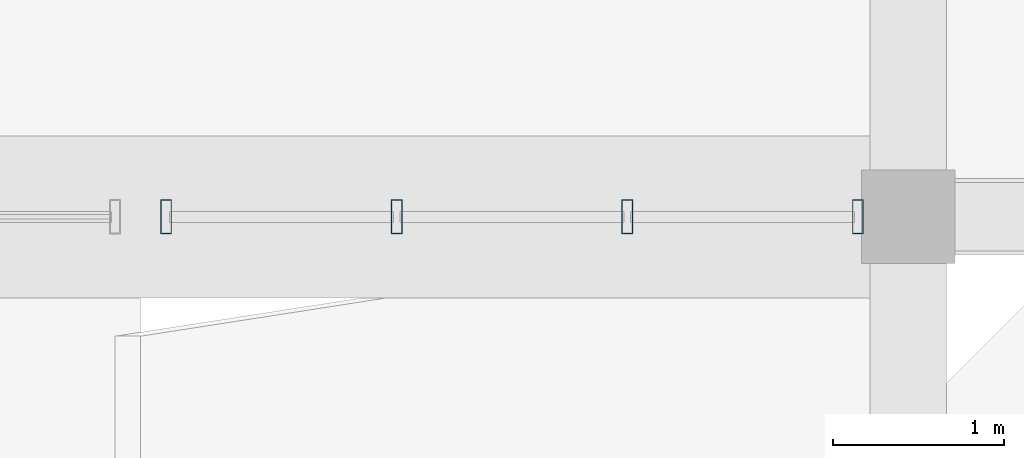
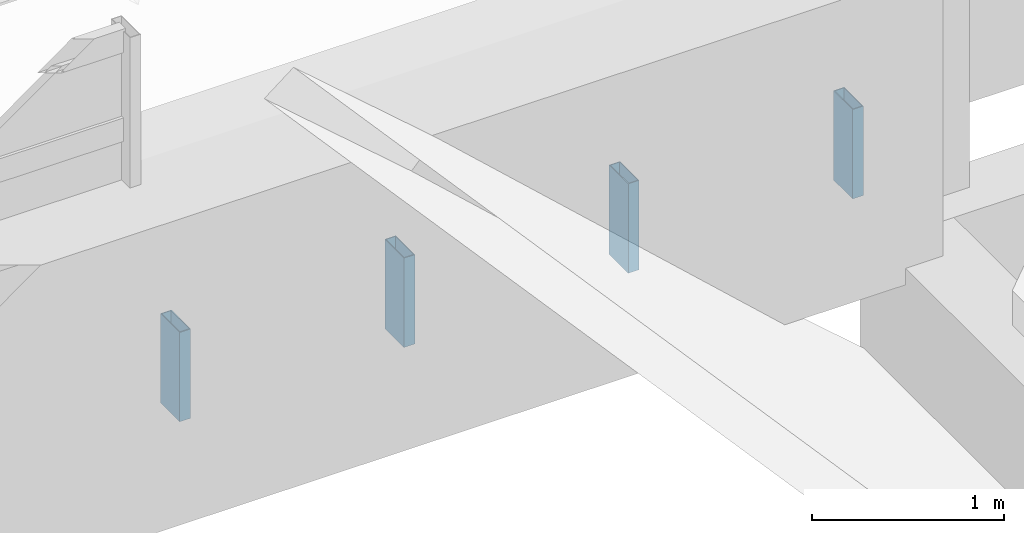
# One storey, part 65 of 82: 4 members, 1 element without a shape of its own.
"""IFC4 building model written with IfcOpenShell, lengths in metres."""

from ifc_helpers import new_model, si_unit, direction, frame, origin, origin_2d, place, context, subcontext, project, spatial, hollow_rectangle, extrude, material, layer, layer_set, material_profile, profile_set, type_object, element, aggregate, save


model = new_model("IFC4")

# Units and contexts
model_context = context("Model", 3, precision=1e-05, world=origin(), true_north=direction((0.0, 1.0)))
body_context = subcontext(model_context, "Body", "Model", "MODEL_VIEW")
ifc_project = project(units=[si_unit("LENGTHUNIT", "METRE"), si_unit("AREAUNIT", "SQUARE_METRE"), si_unit("VOLUMEUNIT", "CUBIC_METRE"), si_unit("PLANEANGLEUNIT", "RADIAN"), si_unit("MASSUNIT", "GRAM", prefix="KILO")], contexts=[model_context])

# Site, building, storey
site_placement = place(None, origin())
site = spatial("IfcSite", under=ifc_project, at=site_placement, CompositionType="ELEMENT")
building_placement = place(site_placement, origin())
building = spatial("IfcBuilding", under=site, at=building_placement, Name="Mersad Railyard Sports Hall", CompositionType="ELEMENT")
storey_placement = place(building_placement, frame((0.0, 0.0, 13.199951171875)))
storey = spatial("IfcBuildingStorey", under=building, at=storey_placement, Name="L03", CompositionType="ELEMENT", Elevation=13.199951171875)

# Curtain wall, members
ifc_material = material(Name="Aluminium 6063-T6", Category="aluminium")
ifc_layer = layer(ifc_material, 0.199951171875)
ifc_layer_set = layer_set([ifc_layer], Name="Aluminium 6063-T6")
curtain_wall_type = type_object("IfcCurtainWallType", Name="ARC-CW-CW41", PredefinedType="USERDEFINED", material=ifc_layer_set)
curtain_wall_placement = place(storey_placement, origin())
curtain_wall = element("IfcCurtainWall", 1, at=curtain_wall_placement, inside=storey, type_object=curtain_wall_type, Name="Curtain wall CW41-0127", ObjectType="CURTAIN WALL", PredefinedType="USERDEFINED")
ifc_material_profile = material_profile(ifc_material, hollow_rectangle(XDim=0.06494140625, YDim=0.199951171875, WallThickness=0.0048828125, at=origin_2d()), Name="AL MULLION 65x200x5")
ifc_profile_set = profile_set([ifc_material_profile], Name="Aluminium 6063-T6")
member_type = type_object("IfcMemberType", Name="ARC-CW-MUL02", PredefinedType="MULLION", material=ifc_profile_set)
member_1_placement = place(storey_placement, frame((168.64990234375, 73.5, 0.030029296875), z_axis=(0.0, 0.0, 1.0), x_axis=(1.0, 0.0, 0.0)))
member_1 = element("IfcMember", 2, at=member_1_placement, type_object=member_type, Name="CW41 Mullion 1", PredefinedType="MULLION", context=body_context, shape_type="SweptSolid", body=[
    extrude(hollow_rectangle(XDim=0.06494140625, YDim=0.199951171875, WallThickness=0.0048828125, at=origin_2d()), origin(), (0.0, 0.0, 1.0), 0.570068359375),
])
member_2_placement = place(storey_placement, frame((170.001708984375, 73.5, 0.030029296875), z_axis=(0.0, 0.0, 1.0), x_axis=(1.0, 0.0, 0.0)))
member_2 = element("IfcMember", 3, at=member_2_placement, type_object=member_type, Name="CW41 Mullion 2", PredefinedType="MULLION", context=body_context, shape_type="SweptSolid", body=[
    extrude(hollow_rectangle(XDim=0.06494140625, YDim=0.199951171875, WallThickness=0.0048828125, at=origin_2d()), origin(), (0.0, 0.0, 1.0), 0.570068359375),
])
member_3_placement = place(storey_placement, frame((171.353271484375, 73.5, 0.030029296875), z_axis=(0.0, 0.0, 1.0), x_axis=(1.0, 0.0, 0.0)))
member_3 = element("IfcMember", 4, at=member_3_placement, type_object=member_type, Name="CW41 Mullion 3", PredefinedType="MULLION", context=body_context, shape_type="SweptSolid", body=[
    extrude(hollow_rectangle(XDim=0.06494140625, YDim=0.199951171875, WallThickness=0.0048828125, at=origin_2d()), origin(), (0.0, 0.0, 1.0), 0.570068359375),
])
member_4_placement = place(storey_placement, frame((172.705078125, 73.5, 0.030029296875), z_axis=(0.0, 0.0, 1.0), x_axis=(1.0, 0.0, 0.0)))
member_4 = element("IfcMember", 5, at=member_4_placement, type_object=member_type, Name="CW41 Mullion 4", PredefinedType="MULLION", context=body_context, shape_type="SweptSolid", body=[
    extrude(hollow_rectangle(XDim=0.06494140625, YDim=0.199951171875, WallThickness=0.0048828125, at=origin_2d()), origin(), (0.0, 0.0, 1.0), 0.570068359375),
])
aggregate(curtain_wall, [member_1, member_2, member_3, member_4])

save(model, "model.ifc")
